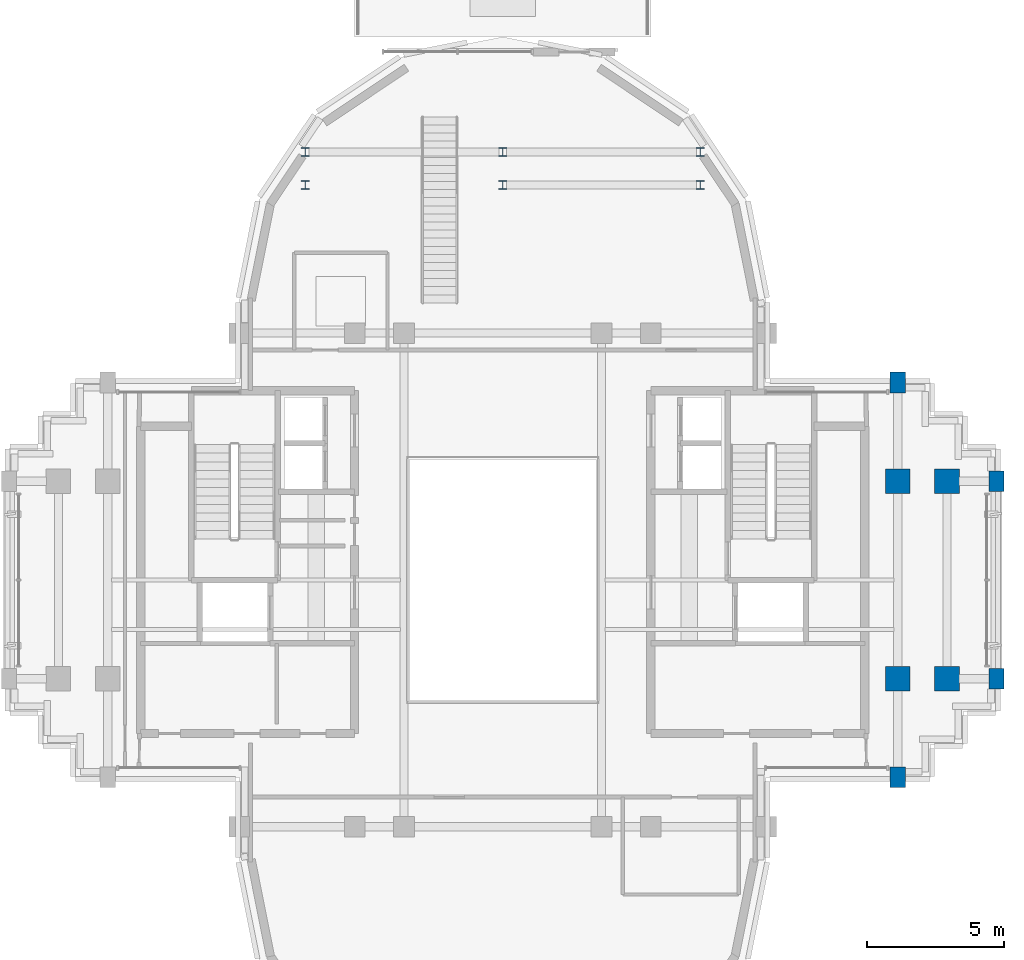
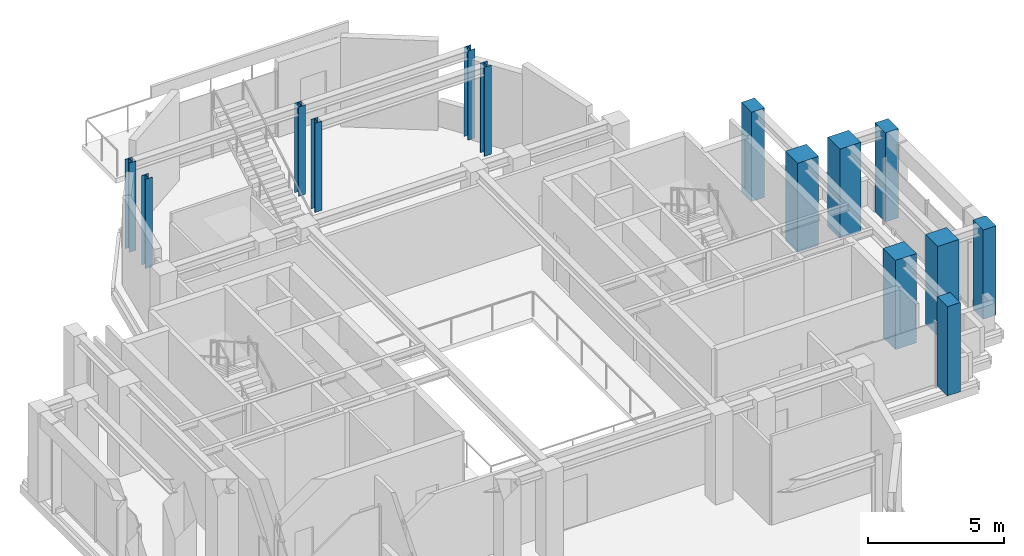
# One storey, part 2 of 14: 14 columns.
"""IFC4 building model written with IfcOpenShell, lengths in metres."""

import ifcopenshell
import ifcopenshell.guid

model = None  # the IFC model being written
_history = None  # IfcOwnerHistory: only IFC2X3 demands one
_inside = {}  # id of a spatial element -> (the spatial element, [elements in it])
_under = {}  # id of a project, library or spatial element -> (it, [spatial elements below it])
_declared = {}  # id of a project -> (the project, [libraries it declares])
_typed = {}  # id of a type object -> (the type object, [elements of that type])
_made_of = {}  # id of a material, layer set ... -> (it, [elements and type objects made of it])


def new_model(schema):
    """Start an empty IFC model of exactly this schema.

    Asked for "IFC4X3", IfcOpenShell would pick the latest addendum, in which some entities
    have other attributes; the version numbers below select the first issue.
    IFC2X3 requires an IfcOwnerHistory on every rooted entity: one is made here for all.
    """
    global model, _history
    if schema == "IFC4X3":
        model = ifcopenshell.file(schema_version=(4, 3, 0, 0))
    else:
        model = ifcopenshell.file(schema=schema)
    _inside.clear()
    _under.clear()
    _declared.clear()
    _typed.clear()
    _made_of.clear()
    _history = None
    if model.schema == "IFC2X3":
        org = make("IfcOrganization", Name="unknown")
        user = make(
            "IfcPersonAndOrganization",
            ThePerson=make("IfcPerson", FamilyName="unknown"),
            TheOrganization=org,
        )
        app = make(
            "IfcApplication",
            ApplicationDeveloper=org,
            Version="unknown",
            ApplicationFullName="unknown",
            ApplicationIdentifier="unknown",
        )
        _history = make(
            "IfcOwnerHistory",
            OwningUser=user,
            OwningApplication=app,
            ChangeAction="ADDED",
            CreationDate=0,
        )
    return model


def make(cls, **values):
    """One entity of the class cls with the attributes given. An attribute that is None is left unset."""
    return model.create_entity(
        cls, **{name: value for name, value in values.items() if value is not None}
    )


def rooted(cls, **values):
    """An entity with a GlobalId (a new one), such as an element, a storey or a relation."""
    return make(cls, GlobalId=ifcopenshell.guid.new(), OwnerHistory=_history, **values)


def si_unit(unit_type, name, prefix=None):
    """IfcSIUnit, for example si_unit("LENGTHUNIT", "METRE", prefix="MILLI")."""
    return make("IfcSIUnit", UnitType=unit_type, Prefix=prefix, Name=name)


def assignment(units):
    """IfcUnitAssignment: the units of a project."""
    return None if units is None else make("IfcUnitAssignment", Units=units)


def point(xyz):
    """IfcCartesianPoint."""
    return None if xyz is None else make("IfcCartesianPoint", Coordinates=xyz)


def direction(xyz):
    """IfcDirection."""
    return None if xyz is None else make("IfcDirection", DirectionRatios=xyz)


def frame(location, z_axis=None, x_axis=None):
    """IfcAxis2Placement3D, a coordinate frame: its origin and axes. An axis left out is left unset."""
    return make(
        "IfcAxis2Placement3D",
        Location=point(location),
        Axis=direction(z_axis),
        RefDirection=direction(x_axis),
    )


def frame_2d(location, x_axis=None):
    """IfcAxis2Placement2D, a coordinate frame in the plane: its origin and x axis."""
    return make(
        "IfcAxis2Placement2D", Location=point(location), RefDirection=direction(x_axis)
    )


def origin():
    """The frame at (0, 0, 0) with its axes left unset."""
    return frame((0.0, 0.0, 0.0))


def origin_2d():
    """The frame at (0, 0) in the plane with its x axis left unset."""
    return frame_2d((0.0, 0.0))


def place(relative_to, where):
    """IfcLocalPlacement: puts the frame where relative to a parent placement (None: the world)."""
    return make(
        "IfcLocalPlacement", PlacementRelTo=relative_to, RelativePlacement=where
    )


def context(
    kind, dimensions, precision=None, world=None, true_north=None, identifier=None
):
    """IfcGeometricRepresentationContext, for example the 3D "Model" context."""
    return make(
        "IfcGeometricRepresentationContext",
        ContextIdentifier=identifier,
        ContextType=kind,
        CoordinateSpaceDimension=dimensions,
        Precision=precision,
        WorldCoordinateSystem=world,
        TrueNorth=true_north,
    )


def subcontext(parent, identifier, kind, view, scale=None):
    """IfcGeometricRepresentationSubContext, for example "Body" below "Model"."""
    return make(
        "IfcGeometricRepresentationSubContext",
        ContextIdentifier=identifier,
        ContextType=kind,
        ParentContext=parent,
        TargetScale=scale,
        TargetView=view,
    )


def project(units=None, contexts=None):
    """IfcProject with its units and contexts."""
    return rooted(
        "IfcProject",
        Name="project",
        RepresentationContexts=contexts,
        UnitsInContext=assignment(units),
    )


def spatial(cls, under=None, at=None, **own):
    """A site, building, storey or space (cls), placed at a placement, below another one or the project."""
    s = rooted(cls, ObjectPlacement=at, **own)
    if under is not None:
        _under.setdefault(under.id(), (under, []))[1].append(s)
    return s


def profile(cls, at=None, kind="AREA", **sizes):
    """A parametric profile (cls). Its sizes go by their IFC names, for example OverallWidth=200.0."""
    return make(cls, ProfileType=kind, Position=at, **sizes)


def rectangle(**sizes):
    """IfcRectangleProfileDef."""
    return profile("IfcRectangleProfileDef", **sizes)


def i_section(**sizes):
    """IfcIShapeProfileDef."""
    return profile("IfcIShapeProfileDef", **sizes)


def extrude(swept, where, along, depth):
    """IfcExtrudedAreaSolid: the profile swept, set in the frame where, extruded along a direction by depth."""
    return make(
        "IfcExtrudedAreaSolid",
        SweptArea=swept,
        Position=where,
        ExtrudedDirection=direction(along),
        Depth=depth,
    )


def shape(context_of_items, identifier, shape_type, items):
    """IfcShapeRepresentation: the items that make up one representation, for example the "Body"."""
    return make(
        "IfcShapeRepresentation",
        ContextOfItems=context_of_items,
        RepresentationIdentifier=identifier,
        RepresentationType=shape_type,
        Items=items,
    )


def source(mapping_origin, context_of_items, identifier, shape_type, items):
    """IfcRepresentationMap: a shape defined once, which mapped items show again and again."""
    return make(
        "IfcRepresentationMap",
        MappingOrigin=mapping_origin,
        MappedRepresentation=shape(context_of_items, identifier, shape_type, items),
    )


def transform(
    local_origin,
    x_axis=None,
    y_axis=None,
    z_axis=None,
    scale=None,
    scale2=None,
    scale3=None,
    uniform=True,
):
    """IfcCartesianTransformationOperator3D, or its non-uniform kind. x_axis, y_axis, z_axis: its Axis1, 2, 3."""
    if uniform:
        return make(
            "IfcCartesianTransformationOperator3D",
            Axis1=direction(x_axis),
            Axis2=direction(y_axis),
            LocalOrigin=point(local_origin),
            Scale=scale,
            Axis3=direction(z_axis),
        )
    return make(
        "IfcCartesianTransformationOperator3DnonUniform",
        Axis1=direction(x_axis),
        Axis2=direction(y_axis),
        LocalOrigin=point(local_origin),
        Scale=scale,
        Axis3=direction(z_axis),
        Scale2=scale2,
        Scale3=scale3,
    )


def mapped(mapping_source, mapping_target):
    """IfcMappedItem: shows the shape of a source again, moved by a transform."""
    return make(
        "IfcMappedItem", MappingSource=mapping_source, MappingTarget=mapping_target
    )


def material(Name=None, Category=None):
    """IfcMaterial."""
    return make("IfcMaterial", Name=Name, Category=Category)


def material_profile(
    of_material, cross_section, Name=None, Category=None, Priority=None
):
    """IfcMaterialProfile: a cross section and its material."""
    return make(
        "IfcMaterialProfile",
        Name=Name,
        Material=of_material,
        Profile=cross_section,
        Priority=Priority,
        Category=Category,
    )


def profile_set(profiles, Name=None, composite=None):
    """IfcMaterialProfileSet."""
    return make(
        "IfcMaterialProfileSet",
        Name=Name,
        MaterialProfiles=profiles,
        CompositeProfile=composite,
    )


def made_of(thing, what):
    """Note that an element or type object is made of a material, layer set ...; save() writes the relation."""
    if what is not None:
        _made_of.setdefault(what.id(), (what, []))[1].append(thing)
    return thing


def type_object(cls, material=None, **own):
    """A type object (cls), such as IfcWallType, which elements share."""
    return made_of(rooted(cls, **own), material)


def element(
    cls,
    number,
    at=None,
    inside=None,
    cuts=None,
    type_object=None,
    material=None,
    context=None,
    identifier="Body",
    shape_type=None,
    held_by="IfcProductDefinitionShape",
    body=None,
    shapes=None,
    **own,
):
    """One element of the class cls, such as IfcWall. Its Tag is "e" and its number.

    at: its placement. inside: the storey or other place that contains it. cuts: it is an
    opening in that element (IfcRelVoidsElement). A single representation is given by context,
    identifier, shape_type and body (its items); several are given by shapes. held_by: the class
    of the entity that holds the representations. save() writes the other relations.
    """
    e = rooted(cls, Tag="e%d" % number, ObjectPlacement=at, **own)
    if body is not None:
        shapes = [shape(context, identifier, shape_type, body)]
    if shapes is not None:
        e.Representation = make(held_by, Representations=shapes)
    if inside is not None:
        _inside.setdefault(inside.id(), (inside, []))[1].append(e)
    if cuts is not None:
        rooted(
            "IfcRelVoidsElement", RelatingBuildingElement=cuts, RelatedOpeningElement=e
        )
    if type_object is not None:
        _typed.setdefault(type_object.id(), (type_object, []))[1].append(e)
    return made_of(e, material)


def aggregate(whole, parts):
    """IfcRelAggregates: a whole, such as a stair, and the parts it consists of."""
    return rooted("IfcRelAggregates", RelatingObject=whole, RelatedObjects=parts)


def save(model, path):
    """Write the relations noted so far, then the file.

    IfcRelAggregates (storeys below a building ...), IfcRelContainedInSpatialStructure (elements
    in a storey), IfcRelDefinesByType, IfcRelAssociatesMaterial and IfcRelDeclares: one each for
    every whole, place, type object, material and project.
    """
    for whole, parts in _under.values():
        aggregate(whole, parts)
    for where, things in _inside.values():
        rooted(
            "IfcRelContainedInSpatialStructure",
            RelatedElements=things,
            RelatingStructure=where,
        )
    for kind, things in _typed.values():
        rooted("IfcRelDefinesByType", RelatedObjects=things, RelatingType=kind)
    for what, things in _made_of.values():
        rooted("IfcRelAssociatesMaterial", RelatedObjects=things, RelatingMaterial=what)
    for by, libraries in _declared.values():
        rooted("IfcRelDeclares", RelatingContext=by, RelatedDefinitions=libraries)
    model.write(path)


model = new_model("IFC4")

# Units and contexts
model_context = context("Model", 3, precision=1e-05, world=origin(), true_north=direction((0.0, 1.0)))
body_context = subcontext(model_context, "Body", "Model", "MODEL_VIEW")
ifc_project = project(units=[si_unit("LENGTHUNIT", "METRE"), si_unit("AREAUNIT", "SQUARE_METRE"), si_unit("VOLUMEUNIT", "CUBIC_METRE"), si_unit("PLANEANGLEUNIT", "RADIAN"), si_unit("MASSUNIT", "GRAM", prefix="KILO")], contexts=[model_context])

# Site, building, storey
site_placement = place(None, origin())
site = spatial("IfcSite", under=ifc_project, at=site_placement, CompositionType="ELEMENT")
building_placement = place(site_placement, origin())
building = spatial("IfcBuilding", under=site, at=building_placement, Name="Keilestroom Media Tower", CompositionType="ELEMENT")
storey_placement = place(building_placement, frame((0.0, 0.0, 219.39990234375)))
storey = spatial("IfcBuildingStorey", under=building, at=storey_placement, Name="L60", CompositionType="ELEMENT", Elevation=219.39990234375)

# Columns
ifc_material_1 = material(Name="Precast concrete C40/50", Category="concrete")
ifc_material_profile_1 = material_profile(ifc_material_1, rectangle(XDim=0.550048828125, YDim=0.75, at=origin_2d()), Name="PC 750x550")
ifc_profile_set_1 = profile_set([ifc_material_profile_1], Name="Precast concrete C40/50")
column_type_1 = type_object("IfcColumnType", Name="Structural-Column-PC-750x550", PredefinedType="COLUMN", material=ifc_profile_set_1)
shared_shape_1 = source(origin(), body_context, "Body", "SweptSolid", [
    extrude(rectangle(XDim=0.550048828125, YDim=0.75, at=origin_2d()), origin(), (0.0, 0.0, 1.0), 4.010009765625),
])
for number, where, z_axis, x_axis, name in (
    (1, (14.39990234375, -7.199951171875, 0.0), (0.0, 0.0, 1.0), (1.0, 0.0, 0.0), "L60 Column PC-3 (+14.4,-7.2)"),
    (2, (14.39990234375, 7.199951171875, 0.0), (0.0, 0.0, 1.0), (1.0, 0.0, 0.0), "L60 Column PC-3 (+14.4,+7.2)"),
    (3, (18.0, -3.60009765625, 0.0), (0.0, 0.0, 1.0), (1.0, 0.0, 0.0), "L60 Column PC-3 (+18.0,-3.6)"),
    (4, (18.0, 3.60009765625, 0.0), (0.0, 0.0, 1.0), (1.0, 0.0, 0.0), "L60 Column PC-3 (+18.0,+3.6)"),
):
    element("IfcColumn", number, at=place(storey_placement, frame(where, z_axis=z_axis, x_axis=x_axis)), inside=storey, type_object=column_type_1, Name=name, PredefinedType="COLUMN", context=body_context, shape_type="MappedRepresentation", body=[
        mapped(shared_shape_1, transform((0.0, 0.0, 0.0), x_axis=(1.0, 0.0, 0.0), y_axis=(0.0, 1.0, 0.0), z_axis=(0.0, 0.0, 1.0), scale=1.0)),
    ])
ifc_material_2 = material(Name="Concrete C55/67", Category="concrete")
ifc_material_profile_2 = material_profile(ifc_material_2, rectangle(XDim=0.89990234375, YDim=0.89990234375, at=origin_2d()), Name="RC 900x900")
ifc_profile_set_2 = profile_set([ifc_material_profile_2], Name="Concrete C55/67")
column_type_2 = type_object("IfcColumnType", Name="Structural-Column-RC-900x900", PredefinedType="COLUMN", material=ifc_profile_set_2)
shared_shape_2 = source(origin(), body_context, "Body", "SweptSolid", [
    extrude(rectangle(XDim=0.89990234375, YDim=0.89990234375, at=origin_2d()), origin(), (0.0, 0.0, 1.0), 4.010009765625),
])
for number, where, z_axis, x_axis, name in (
    (5, (14.39990234375, -3.60009765625, 0.0), (0.0, 0.0, 1.0), (1.0, 0.0, 0.0), "L60 Column MC-4 (+14.4,-3.6)"),
    (6, (14.39990234375, 3.60009765625, 0.0), (0.0, 0.0, 1.0), (1.0, 0.0, 0.0), "L60 Column MC-4 (+14.4,+3.6)"),
    (7, (16.199951171875, -3.60009765625, 0.0), (0.0, 0.0, 1.0), (1.0, 0.0, 0.0), "L60 Column MC-4 (+16.2,-3.6)"),
    (8, (16.199951171875, 3.60009765625, 0.0), (0.0, 0.0, 1.0), (1.0, 0.0, 0.0), "L60 Column MC-4 (+16.2,+3.6)"),
):
    element("IfcColumn", number, at=place(storey_placement, frame(where, z_axis=z_axis, x_axis=x_axis)), inside=storey, type_object=column_type_2, Name=name, PredefinedType="COLUMN", context=body_context, shape_type="MappedRepresentation", body=[
        mapped(shared_shape_2, transform((0.0, 0.0, 0.0), x_axis=(1.0, 0.0, 0.0), y_axis=(0.0, 1.0, 0.0), z_axis=(0.0, 0.0, 1.0), scale=1.0)),
    ])
ifc_material_3 = material(Name="Steel S355", Category="steel")
ifc_material_profile_3 = material_profile(ifc_material_3, i_section(OverallWidth=0.300048828125, OverallDepth=0.300048828125, WebThickness=0.010986328125, FlangeThickness=0.01904296875, at=origin_2d()), Name="HEB 300")
ifc_profile_set_3 = profile_set([ifc_material_profile_3], Name="Steel S355")
column_type_3 = type_object("IfcColumnType", Name="Structural-Column-HEB-300", PredefinedType="COLUMN", material=ifc_profile_set_3)
shared_shape_3 = source(origin(), body_context, "Body", "SweptSolid", [
    extrude(i_section(OverallWidth=0.300048828125, OverallDepth=0.300048828125, WebThickness=0.010986328125, FlangeThickness=0.01904296875, at=origin_2d()), origin(), (0.0, 0.0, 1.0), 4.010009765625),
])
for number, where, z_axis, x_axis, name in (
    (9, (-7.199951171875, 14.39990234375, 0.0), (0.0, 0.0, 1.0), (1.0, 0.0, 0.0), "L60 Column SC-5 (-7.2,+14.4)"),
    (10, (-7.199951171875, 15.60009765625, 0.0), (0.0, 0.0, 1.0), (1.0, 0.0, 0.0), "L60 Column SC-5 (-7.2,+15.6)"),
    (11, (0.0, 14.39990234375, 0.0), (0.0, 0.0, 1.0), (1.0, 0.0, 0.0), "L60 Column SC-5 (+0.0,+14.4)"),
    (12, (0.0, 15.60009765625, 0.0), (0.0, 0.0, 1.0), (1.0, 0.0, 0.0), "L60 Column SC-5 (+0.0,+15.6)"),
    (13, (7.199951171875, 14.39990234375, 0.0), (0.0, 0.0, 1.0), (1.0, 0.0, 0.0), "L60 Column SC-5 (+7.2,+14.4)"),
    (14, (7.199951171875, 15.60009765625, 0.0), (0.0, 0.0, 1.0), (1.0, 0.0, 0.0), "L60 Column SC-5 (+7.2,+15.6)"),
):
    element("IfcColumn", number, at=place(storey_placement, frame(where, z_axis=z_axis, x_axis=x_axis)), inside=storey, type_object=column_type_3, Name=name, PredefinedType="COLUMN", context=body_context, shape_type="MappedRepresentation", body=[
        mapped(shared_shape_3, transform((0.0, 0.0, 0.0), x_axis=(1.0, 0.0, 0.0), y_axis=(0.0, 1.0, 0.0), z_axis=(0.0, 0.0, 1.0), scale=1.0)),
    ])

save(model, "model.ifc")
